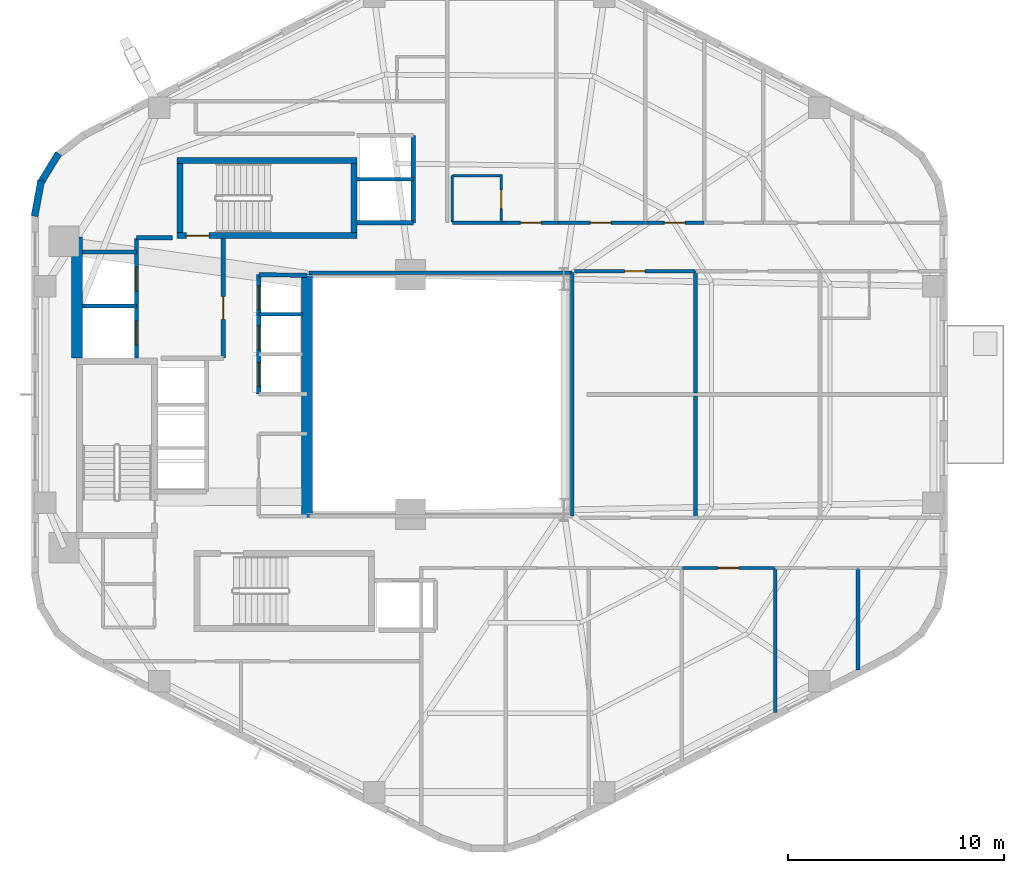
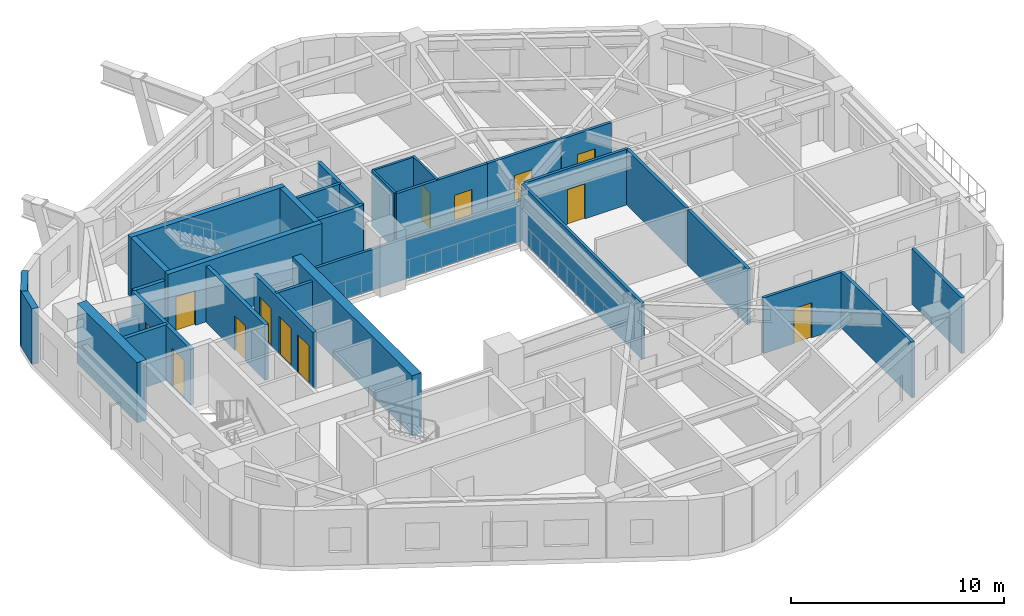
# One storey, part 4 of 8: 33 walls, 13 doors, 13 openings.
"""IFC4 building model written with IfcOpenShell, lengths in metres."""

from ifc_helpers import new_model, si_unit, direction, frame, frame_2d, origin, place, context, subcontext, project, spatial, rectangle, extrude, material, layer, layer_set, type_object, element, fill, save


model = new_model("IFC4")

# Units and contexts
model_context = context("Model", 3, precision=1e-05, world=origin(), true_north=direction((0.0, 1.0)))
body_context = subcontext(model_context, "Body", "Model", "MODEL_VIEW")
ifc_project = project(units=[si_unit("LENGTHUNIT", "METRE"), si_unit("AREAUNIT", "SQUARE_METRE"), si_unit("VOLUMEUNIT", "CUBIC_METRE"), si_unit("PLANEANGLEUNIT", "RADIAN"), si_unit("MASSUNIT", "GRAM", prefix="KILO"), si_unit("THERMODYNAMICTEMPERATUREUNIT", "KELVIN"), si_unit("POWERUNIT", "WATT")], contexts=[model_context])

# Site, building, storey
site_placement = place(None, origin())
site = spatial("IfcSite", under=ifc_project, at=site_placement, CompositionType="ELEMENT")
building_placement = place(site_placement, origin())
building = spatial("IfcBuilding", under=site, at=building_placement, Name="Skarre Station Tower", CompositionType="ELEMENT")
storey_placement = place(building_placement, frame((0.0, 0.0, 125.699951171875)))
storey = spatial("IfcBuildingStorey", under=building, at=storey_placement, Name="L33", CompositionType="ELEMENT", Elevation=125.699951171875)

# Walls
ifc_material_1 = material(Name="Acoustic Steel-Stud Gypsum Partition", Category="steel")
ifc_layer_1 = layer(ifc_material_1, 0.14990234375, Name="Acoustic Steel-Stud Gypsum Partition")
ifc_layer_set_1 = layer_set([ifc_layer_1], Name="Acoustic Steel-Stud Gypsum Partition")
wall_type_1 = type_object("IfcWallType", Name="Fire-Rated Corridor Acoustic Partition 150", PredefinedType="PARTITIONING", material=ifc_layer_set_1)
wall_1_placement = place(storey_placement, frame((39.840087890625, 29.639892578125, 0.0), z_axis=(0.0, 0.0, 1.0), x_axis=(-1.0, 0.0, 0.0)))
element("IfcWall", 1, at=wall_1_placement, inside=storey, type_object=wall_type_1, Name="L33 Interior Partition WL-PT-L33-ATRW-N", PredefinedType="PARTITIONING", context=body_context, shape_type="SweptSolid", body=[
    extrude(rectangle(XDim=12.2001953125, YDim=0.14990234375, at=frame_2d((6.10009765625, 0.0))), origin(), (0.0, 0.0, 1.0), 2.3310546875),
])
wall_2_placement = place(storey_placement, frame((39.840087890625, 18.360107421875, 0.0), z_axis=(0.0, 0.0, 1.0), x_axis=(0.0, 1.0, 0.0)))
element("IfcWall", 2, at=wall_2_placement, inside=storey, type_object=wall_type_1, Name="L33 Interior Partition WL-PT-L33-ATRW-E", PredefinedType="PARTITIONING", context=body_context, shape_type="SweptSolid", body=[
    extrude(rectangle(XDim=11.27978515625, YDim=0.14990234375, at=frame_2d((5.639892578125, 0.0))), origin(), (0.0, 0.0, 1.0), 3.18994140625),
])

# Wall, opening, door
wall_3_placement = place(storey_placement, frame((39.22412109375, 31.9599609375, 0.0), z_axis=(0.0, 0.0, 1.0), x_axis=(-1.0, 0.0, 0.0)))
wall_3 = element("IfcWall", 3, at=wall_3_placement, inside=storey, type_object=wall_type_1, Name="L33 Interior Partition WL-PT-L33-NW1-CW", PredefinedType="PARTITIONING", context=body_context, shape_type="SweptSolid", body=[
    extrude(rectangle(XDim=4.93408203125, YDim=0.14990234375, at=frame_2d((2.467041015625, 0.0))), origin(), (0.0, 0.0, 1.0), 3.18994140625),
])
opening_1_placement = place(wall_3_placement, frame((0.830078125, 0.0, 0.0)))
opening_1 = element("IfcOpeningElement", 4, at=opening_1_placement, cuts=wall_3, Name="Opening DR-FD60", PredefinedType="OPENING", context=body_context, shape_type="SweptSolid", body=[
    extrude(rectangle(XDim=0.9599609375, YDim=2.0, at=frame_2d((0.47998046875, 1.0))), frame((0.0, 0.0849609375, 0.0), z_axis=(0.0, -1.0, 0.0), x_axis=(1.0, 0.0, 0.0)), (0.0, 0.0, 1.0), 0.169921875),
])
ifc_material_2 = material(Name="Nordic White-Oak Veneer Solid-Core Fire Leaf", Category="wood")
door_type_1 = type_object("IfcDoorType", Name="Corridor Suite Entry Fire Door FD60 960x2150", OperationType="SINGLE_SWING_LEFT", PredefinedType="DOOR", material=ifc_material_2)
door_1_placement = place(opening_1_placement, origin())
door_1 = element("IfcDoor", 5, at=door_1_placement, inside=storey, type_object=door_type_1, Name="L33 NW1 Entry Door", OperationType="SINGLE_SWING_LEFT", OverallHeight=2.0, OverallWidth=0.9599609375, PredefinedType="DOOR", context=body_context, shape_type="SweptSolid", body=[
    extrude(rectangle(XDim=0.9599609375, YDim=2.0, at=frame_2d((0.47998046875, 1.0))), frame((0.0, 0.02490234375, 0.0), z_axis=(0.0, -1.0, 0.0), x_axis=(1.0, 0.0, 0.0)), (0.0, 0.0, 1.0), 0.050048828125),
])
fill(opening_1, door_1)

wall_4_placement = place(storey_placement, frame((43.198974609375, 31.9599609375, 0.0), z_axis=(0.0, 0.0, 1.0), x_axis=(-1.0, 0.0, 0.0)))
wall_4 = element("IfcWall", 6, at=wall_4_placement, inside=storey, type_object=wall_type_1, Name="L33 Interior Partition WL-PT-L33-NW2-CW", PredefinedType="PARTITIONING", context=body_context, shape_type="SweptSolid", body=[
    extrude(rectangle(XDim=3.965087890625, YDim=0.14990234375, at=frame_2d((1.982421875, 0.0))), origin(), (0.0, 0.0, 1.0), 3.18994140625),
])
opening_2_placement = place(wall_4_placement, frame((1.56005859375, 0.0, 0.0)))
opening_2 = element("IfcOpeningElement", 7, at=opening_2_placement, cuts=wall_4, Name="Opening DR-FD60", PredefinedType="OPENING", context=body_context, shape_type="SweptSolid", body=[
    extrude(rectangle(XDim=0.9599609375, YDim=2.0, at=frame_2d((0.47998046875, 1.0))), frame((0.0, 0.0849609375, 0.0), z_axis=(0.0, -1.0, 0.0), x_axis=(1.0, 0.0, 0.0)), (0.0, 0.0, 1.0), 0.169921875),
])
door_2_placement = place(opening_2_placement, origin())
door_2 = element("IfcDoor", 8, at=door_2_placement, inside=storey, type_object=door_type_1, Name="L33 NW2 Entry Door", OperationType="SINGLE_SWING_LEFT", OverallHeight=2.0, OverallWidth=0.9599609375, PredefinedType="DOOR", context=body_context, shape_type="SweptSolid", body=[
    extrude(rectangle(XDim=0.9599609375, YDim=2.0, at=frame_2d((0.47998046875, 1.0))), frame((0.0, 0.02490234375, 0.0), z_axis=(0.0, -1.0, 0.0), x_axis=(1.0, 0.0, 0.0)), (0.0, 0.0, 1.0), 0.050048828125),
])
fill(opening_2, door_2)

wall_5_placement = place(storey_placement, frame((45.93994140625, 31.9599609375, 0.0), z_axis=(0.0, 0.0, 1.0), x_axis=(-1.0, 0.0, 0.0)))
wall_5 = element("IfcWall", 9, at=wall_5_placement, inside=storey, type_object=wall_type_1, Name="L33 Interior Partition WL-PT-L33-NW3-CW", PredefinedType="PARTITIONING", context=body_context, shape_type="SweptSolid", body=[
    extrude(rectangle(XDim=2.708984375, YDim=0.14990234375, at=frame_2d((1.3544921875, 0.0))), origin(), (0.0, 0.0, 1.0), 3.18994140625),
])
opening_3_placement = place(wall_5_placement, frame((0.875, 0.0, 0.0)))
opening_3 = element("IfcOpeningElement", 10, at=opening_3_placement, cuts=wall_5, Name="Opening DR-FD60", PredefinedType="OPENING", context=body_context, shape_type="SweptSolid", body=[
    extrude(rectangle(XDim=0.9599609375, YDim=2.0, at=frame_2d((0.47998046875, 1.0))), frame((0.0, 0.0849609375, 0.0), z_axis=(0.0, -1.0, 0.0), x_axis=(1.0, 0.0, 0.0)), (0.0, 0.0, 1.0), 0.169921875),
])
door_3_placement = place(opening_3_placement, origin())
door_3 = element("IfcDoor", 11, at=door_3_placement, inside=storey, type_object=door_type_1, Name="L33 NW3 Entry Door", OperationType="SINGLE_SWING_LEFT", OverallHeight=2.0, OverallWidth=0.9599609375, PredefinedType="DOOR", context=body_context, shape_type="SweptSolid", body=[
    extrude(rectangle(XDim=0.9599609375, YDim=2.0, at=frame_2d((0.47998046875, 1.0))), frame((0.0, 0.02490234375, 0.0), z_axis=(0.0, -1.0, 0.0), x_axis=(1.0, 0.0, 0.0)), (0.0, 0.0, 1.0), 0.050048828125),
])
fill(opening_3, door_3)

wall_6_placement = place(storey_placement, frame((39.949951171875, 29.7099609375, 0.0), z_axis=(0.0, 0.0, 1.0), x_axis=(1.0, 0.0, 0.0)))
wall_6 = element("IfcWall", 12, at=wall_6_placement, inside=storey, type_object=wall_type_1, Name="L33 Interior Partition WL-PT-L33-EWN1-CW", PredefinedType="PARTITIONING", context=body_context, shape_type="SweptSolid", body=[
    extrude(rectangle(XDim=5.583984375, YDim=0.14990234375, at=frame_2d((2.7919921875, 0.0))), origin(), (0.0, 0.0, 1.0), 3.18994140625),
])
opening_4_placement = place(wall_6_placement, frame((2.31201171875, 0.0, 0.0)))
opening_4 = element("IfcOpeningElement", 13, at=opening_4_placement, cuts=wall_6, Name="Opening DR-FD60", PredefinedType="OPENING", context=body_context, shape_type="SweptSolid", body=[
    extrude(rectangle(XDim=0.9599609375, YDim=2.0, at=frame_2d((0.47998046875, 1.0))), frame((0.0, 0.0849609375, 0.0), z_axis=(0.0, -1.0, 0.0), x_axis=(1.0, 0.0, 0.0)), (0.0, 0.0, 1.0), 0.169921875),
])
door_4_placement = place(opening_4_placement, origin())
door_4 = element("IfcDoor", 14, at=door_4_placement, inside=storey, type_object=door_type_1, Name="L33 EWN1 Entry Door", OperationType="SINGLE_SWING_LEFT", OverallHeight=2.0, OverallWidth=0.9599609375, PredefinedType="DOOR", context=body_context, shape_type="SweptSolid", body=[
    extrude(rectangle(XDim=0.9599609375, YDim=2.0, at=frame_2d((0.47998046875, 1.0))), frame((0.0, 0.02490234375, 0.0), z_axis=(0.0, -1.0, 0.0), x_axis=(1.0, 0.0, 0.0)), (0.0, 0.0, 1.0), 0.050048828125),
])
fill(opening_4, door_4)

wall_7_placement = place(storey_placement, frame((44.93701171875, 15.9599609375, 0.0), z_axis=(0.0, 0.0, 1.0), x_axis=(1.0, 0.0, 0.0)))
wall_7 = element("IfcWall", 15, at=wall_7_placement, inside=storey, type_object=wall_type_1, Name="L33 Interior Partition WL-PT-L33-SW4-CW", PredefinedType="PARTITIONING", context=body_context, shape_type="SweptSolid", body=[
    extrude(rectangle(XDim=4.283935546875, YDim=0.14990234375, at=frame_2d((2.14208984375, 0.0))), origin(), (0.0, 0.0, 1.0), 3.18994140625),
])
opening_5_placement = place(wall_7_placement, frame((1.662109375, 0.0, 0.0)))
opening_5 = element("IfcOpeningElement", 16, at=opening_5_placement, cuts=wall_7, Name="Opening DR-FD60", PredefinedType="OPENING", context=body_context, shape_type="SweptSolid", body=[
    extrude(rectangle(XDim=0.9599609375, YDim=2.0, at=frame_2d((0.47998046875, 1.0))), frame((0.0, 0.0849609375, 0.0), z_axis=(0.0, -1.0, 0.0), x_axis=(1.0, 0.0, 0.0)), (0.0, 0.0, 1.0), 0.169921875),
])
door_5_placement = place(opening_5_placement, origin())
door_5 = element("IfcDoor", 17, at=door_5_placement, inside=storey, type_object=door_type_1, Name="L33 SW4 Entry Door", OperationType="SINGLE_SWING_LEFT", OverallHeight=2.0, OverallWidth=0.9599609375, PredefinedType="DOOR", context=body_context, shape_type="SweptSolid", body=[
    extrude(rectangle(XDim=0.9599609375, YDim=2.0, at=frame_2d((0.47998046875, 1.0))), frame((0.0, 0.02490234375, 0.0), z_axis=(0.0, -1.0, 0.0), x_axis=(1.0, 0.0, 0.0)), (0.0, 0.0, 1.0), 0.050048828125),
])
fill(opening_5, door_5)

ifc_material_3 = material(Name="Insulated Timber-Stud Gypsum Partition", Category="wood")
ifc_layer_2 = layer(ifc_material_3, 0.1201171875, Name="Insulated Timber-Stud Gypsum Partition")
ifc_layer_set_2 = layer_set([ifc_layer_2], Name="Insulated Timber-Stud Gypsum Partition")
wall_type_2 = type_object("IfcWallType", Name="Internal Suite Acoustic Partition 120", PredefinedType="PARTITIONING", material=ifc_layer_set_2)
wall_8_placement = place(storey_placement, frame((36.550048828125, 31.9599609375, 0.0), z_axis=(0.0, 0.0, 1.0), x_axis=(0.0, 1.0, 0.0)))
wall_8 = element("IfcWall", 18, at=wall_8_placement, inside=storey, type_object=wall_type_2, Name="L33 Interior Partition WL-PT-L33-NW1-EW2", PredefinedType="PARTITIONING", context=body_context, shape_type="SweptSolid", body=[
    extrude(rectangle(XDim=2.239990234375, YDim=0.1201171875, at=frame_2d((1.1201171875, 0.0))), origin(), (0.0, 0.0, 1.0), 3.18994140625),
])
opening_6_placement = place(wall_8_placement, frame((0.64990234375, 0.0, 0.0)))
opening_6 = element("IfcOpeningElement", 19, at=opening_6_placement, cuts=wall_8, Name="Opening DR-INT86", PredefinedType="OPENING", context=body_context, shape_type="SweptSolid", body=[
    extrude(rectangle(XDim=0.860107421875, YDim=2.0, at=frame_2d((0.43017578125, 1.0))), frame((0.0, 0.070068359375, 0.0), z_axis=(0.0, -1.0, 0.0), x_axis=(1.0, 0.0, 0.0)), (0.0, 0.0, 1.0), 0.14013671875),
])
ifc_material_4 = material(Name="Nordic Birch Acoustic Solid-Core Timber Leaf", Category="wood")
door_type_2 = type_object("IfcDoorType", Name="Internal En-Suite & Bedroom Door 860x2100", OperationType="SINGLE_SWING_LEFT", PredefinedType="DOOR", material=ifc_material_4)
door_6_placement = place(opening_6_placement, origin())
door_6 = element("IfcDoor", 20, at=door_6_placement, inside=storey, type_object=door_type_2, Name="L33 NW1 En-suite Door", OperationType="SINGLE_SWING_LEFT", OverallHeight=2.0, OverallWidth=0.860107421875, PredefinedType="DOOR", context=body_context, shape_type="SweptSolid", body=[
    extrude(rectangle(XDim=0.860107421875, YDim=2.0, at=frame_2d((0.43017578125, 1.0))), frame((0.0, 0.02490234375, 0.0), z_axis=(0.0, -1.0, 0.0), x_axis=(1.0, 0.0, 0.0)), (0.0, 0.0, 1.0), 0.050048828125),
])
fill(opening_6, door_6)

# Walls
wall_9_placement = place(storey_placement, frame((36.610107421875, 34.139892578125, 0.0), z_axis=(0.0, 0.0, 1.0), x_axis=(-1.0, 0.0, 0.0)))
element("IfcWall", 21, at=wall_9_placement, inside=storey, type_object=wall_type_2, Name="L33 Interior Partition WL-PT-L33-NW1-EW3", PredefinedType="PARTITIONING", context=body_context, shape_type="SweptSolid", body=[
    extrude(rectangle(XDim=2.320068359375, YDim=0.1201171875, at=frame_2d((1.16015625, 0.0))), origin(), (0.0, 0.0, 1.0), 3.18994140625),
])
wall_10_placement = place(storey_placement, frame((34.2900390625, 34.139892578125, 0.0), z_axis=(0.0, 0.0, 1.0), x_axis=(0.0, -1.0, 0.0)))
element("IfcWall", 22, at=wall_10_placement, inside=storey, type_object=wall_type_2, Name="L33 Interior Partition WL-PT-L33-NW1-EW4", PredefinedType="PARTITIONING", context=body_context, shape_type="SweptSolid", body=[
    extrude(rectangle(XDim=2.139892578125, YDim=0.1201171875, at=frame_2d((1.06982421875, 0.0))), origin(), (0.0, 0.0, 1.0), 3.18994140625),
])
ifc_material_5 = material(Name="Precast concrete C45/55", Category="concrete")
ifc_layer_3 = layer(ifc_material_5, 0.330078125, Name="Precast concrete C45/55")
ifc_layer_set_3 = layer_set([ifc_layer_3], Name="Precast concrete C45/55")
wall_type_3 = type_object("IfcWallType", Name="Nordic Rounded Corner Precast Wall 330", PredefinedType="STANDARD", material=ifc_layer_set_3)
wall_11_placement = place(storey_placement, frame((14.931884765625, 32.258056640625, 0.0), z_axis=(0.0, 0.0, 1.0), x_axis=(0.181984991895, 0.983301308209, 0.0)))
element("IfcWall", 23, at=wall_11_placement, inside=storey, type_object=wall_type_3, Name="L33 Rounded Corner Precast Wall F2-1", PredefinedType="STANDARD", context=body_context, shape_type="SweptSolid", body=[
    extrude(rectangle(XDim=1.677001953125, YDim=0.330078125, at=frame_2d((0.83837890625, 0.0))), origin(), (0.0, 0.0, 1.0), 3.18994140625),
])
wall_12_placement = place(storey_placement, frame((15.169921875, 33.73193359375, 0.0), z_axis=(0.0, 0.0, 1.0), x_axis=(0.520519429557, 0.853849824883, 0.0)))
element("IfcWall", 24, at=wall_12_placement, inside=storey, type_object=wall_type_3, Name="L33 Rounded Corner Precast Wall F2-2", PredefinedType="STANDARD", context=body_context, shape_type="SweptSolid", body=[
    extrude(rectangle(XDim=1.67724609375, YDim=0.330078125, at=frame_2d((0.838623046875, 0.0))), origin(), (0.0, 0.0, 1.0), 3.18994140625),
])

# Wall, opening, door
ifc_material_6 = material(Name="Concrete C50/60", Category="concrete")
ifc_layer_4 = layer(ifc_material_6, 0.280029296875, Name="Concrete C50/60")
ifc_layer_set_4 = layer_set([ifc_layer_4], Name="Concrete C50/60")
wall_type_4 = type_object("IfcWallType", Name="RC Core Shear Wall 280", PredefinedType="SHEAR", material=ifc_layer_set_4)
wall_13_placement = place(storey_placement, frame((21.52001953125, 31.360107421875, 0.0), z_axis=(0.0, 0.0, 1.0), x_axis=(1.0, 0.0, 0.0)))
wall_13 = element("IfcWall", 25, at=wall_13_placement, inside=storey, type_object=wall_type_4, Name="L33 Stair ST-3 South Shear Wall", PredefinedType="SHEAR", context=body_context, shape_type="SweptSolid", body=[
    extrude(rectangle(XDim=8.35986328125, YDim=0.280029296875, at=frame_2d((4.179931640625, 0.0))), origin(), (0.0, 0.0, 1.0), 3.449951171875),
])
opening_7_placement = place(wall_13_placement, frame((0.449951171875, 0.0, 0.0)))
opening_7 = element("IfcOpeningElement", 26, at=opening_7_placement, cuts=wall_13, Name="Opening DR-FD90", PredefinedType="OPENING", context=body_context, shape_type="SweptSolid", body=[
    extrude(rectangle(XDim=1.050048828125, YDim=2.0, at=frame_2d((0.52490234375, 1.0))), frame((0.0, 0.14990234375, 0.0), z_axis=(0.0, -1.0, 0.0), x_axis=(1.0, 0.0, 0.0)), (0.0, 0.0, 1.0), 0.300048828125),
])
ifc_material_7 = material(Name="Fire-Rated Insulated Steel Frame & Timber Core Leaf", Category="steel")
door_type_3 = type_object("IfcDoorType", Name="Stair & FSAE Lobby Fire Door FD90 1050x2150", OperationType="SINGLE_SWING_RIGHT", PredefinedType="DOOR", material=ifc_material_7)
door_7_placement = place(opening_7_placement, origin())
door_7 = element("IfcDoor", 27, at=door_7_placement, inside=storey, type_object=door_type_3, Name="L33 Stair ST-3 & FSAE Lobby Direct Exit Door", OperationType="SINGLE_SWING_LEFT", OverallHeight=2.0, OverallWidth=1.050048828125, PredefinedType="DOOR", context=body_context, shape_type="SweptSolid", body=[
    extrude(rectangle(XDim=1.050048828125, YDim=2.0, at=frame_2d((0.52490234375, 1.0))), frame((0.0, 0.02490234375, 0.0), z_axis=(0.0, -1.0, 0.0), x_axis=(1.0, 0.0, 0.0)), (0.0, 0.0, 1.0), 0.050048828125),
])
fill(opening_7, door_7)

# Walls
wall_14_placement = place(storey_placement, frame((29.8798828125, 34.840087890625, 0.0), z_axis=(0.0, 0.0, 1.0), x_axis=(-1.0, 0.0, 0.0)))
element("IfcWall", 28, at=wall_14_placement, inside=storey, type_object=wall_type_4, Name="L33 Stair ST-3 North Shear Wall", PredefinedType="SHEAR", context=body_context, shape_type="SweptSolid", body=[
    extrude(rectangle(XDim=8.35986328125, YDim=0.280029296875, at=frame_2d((4.179931640625, 0.0))), origin(), (0.0, 0.0, 1.0), 3.449951171875),
])
for number, where, z_axis, x_axis, name in (
    (29, (21.659912109375, 34.699951171875, 0.0), (0.0, 0.0, 1.0), (0.0, -1.0, 0.0), "L33 Stair ST-3 West Shear Wall"),
    (30, (29.739990234375, 31.5, 0.0), (0.0, 0.0, 1.0), (0.0, 1.0, 0.0), "L33 Stair ST-3 East Shear Wall"),
):
    element("IfcWall", number, at=place(storey_placement, frame(where, z_axis=z_axis, x_axis=x_axis)), inside=storey, type_object=wall_type_4, Name=name, PredefinedType="SHEAR", context=body_context, shape_type="SweptSolid", body=[
        extrude(rectangle(XDim=3.199951171875, YDim=0.280029296875, at=frame_2d((1.60009765625, 0.0))), origin(), (0.0, 0.0, 1.0), 3.449951171875),
    ])
ifc_material_8 = material(Name="Concrete C70/85", Category="concrete")
ifc_layer_5 = layer(ifc_material_8, 0.5, Name="Concrete C70/85")
ifc_layer_set_5 = layer_set([ifc_layer_5], Name="Concrete C70/85")
wall_type_5 = type_object("IfcWallType", Name="RC Core Shear Wall 500", PredefinedType="SHEAR", material=ifc_layer_set_5)
wall_15_placement = place(storey_placement, frame((16.89990234375, 25.679931640625, 0.0), z_axis=(0.0, 0.0, 1.0), x_axis=(0.0, 1.0, 0.0)))
element("IfcWall", 31, at=wall_15_placement, inside=storey, type_object=wall_type_5, Name="L33 Core West-North Shear Wall", PredefinedType="SHEAR", context=body_context, shape_type="SweptSolid", body=[
    extrude(rectangle(XDim=5.6201171875, YDim=0.5, at=frame_2d((2.81005859375, 0.0))), origin(), (0.0, 0.0, 1.0), 3.449951171875),
])
wall_16_placement = place(storey_placement, frame((27.550048828125, 29.550048828125, 0.0), z_axis=(0.0, 0.0, 1.0), x_axis=(0.0, -1.0, 0.0)))
element("IfcWall", 32, at=wall_16_placement, inside=storey, type_object=wall_type_5, Name="L33 Core East Atrium Shear Wall", PredefinedType="SHEAR", context=body_context, shape_type="SweptSolid", body=[
    extrude(rectangle(XDim=11.25, YDim=0.5, at=frame_2d((5.625, 0.0))), origin(), (0.0, 0.0, 1.0), 3.449951171875),
])

# Wall, openings, doors
ifc_material_9 = material(Name="Gypsum Concrete Shaft Assembly C30/37", Category="concrete")
ifc_layer_6 = layer(ifc_material_9, 0.199951171875, Name="Gypsum Concrete Shaft Assembly C30/37")
ifc_layer_set_6 = layer_set([ifc_layer_6], Name="Gypsum Concrete Shaft Assembly C30/37")
wall_type_6 = type_object("IfcWallType", Name="Shaft & Core Fire Partition 200", PredefinedType="PARTITIONING", material=ifc_layer_set_6)
wall_17_placement = place(storey_placement, frame((19.64990234375, 25.679931640625, 0.0), z_axis=(0.0, 0.0, 1.0), x_axis=(0.0, 1.0, 0.0)))
wall_17 = element("IfcWall", 33, at=wall_17_placement, inside=storey, type_object=wall_type_6, Name="L33 Interior Partition WL-PT-L33-FSAE-W", PredefinedType="PARTITIONING", context=body_context, shape_type="SweptSolid", body=[
    extrude(rectangle(XDim=5.5400390625, YDim=0.199951171875, at=frame_2d((2.77001953125, 0.0))), origin(), (0.0, 0.0, 1.0), 3.18994140625),
])
opening_8_placement = place(wall_17_placement, frame((0.6201171875, 0.0, 0.0)))
opening_8 = element("IfcOpeningElement", 34, at=opening_8_placement, cuts=wall_17, Name="Opening LD-FF1", PredefinedType="OPENING", context=body_context, shape_type="SweptSolid", body=[
    extrude(rectangle(XDim=1.10009765625, YDim=2.199951171875, at=frame_2d((0.550048828125, 1.10009765625))), frame((0.0, 0.10986328125, 0.0), z_axis=(0.0, -1.0, 0.0), x_axis=(1.0, 0.0, 0.0)), (0.0, 0.0, 1.0), 0.219970703125),
])
opening_9_placement = place(wall_17_placement, frame((3.1201171875, 0.0, 0.0)))
opening_9 = element("IfcOpeningElement", 35, at=opening_9_placement, cuts=wall_17, Name="Opening LD-FF2", PredefinedType="OPENING", context=body_context, shape_type="SweptSolid", body=[
    extrude(rectangle(XDim=1.10009765625, YDim=2.199951171875, at=frame_2d((0.550048828125, 1.10009765625))), frame((0.0, 0.10986328125, 0.0), z_axis=(0.0, -1.0, 0.0), x_axis=(1.0, 0.0, 0.0)), (0.0, 0.0, 1.0), 0.219970703125),
])
ifc_material_10 = material(Name="Fire-Rated Stainless Steel Grade 316L Sliding Leaves", Category="steel")
door_type_4 = type_object("IfcDoorType", Name="Fire Service Access Elevator Sliding Landing Door 1100x2200", OperationType="SLIDING_TO_LEFT", PredefinedType="DOOR", material=ifc_material_10)
door_8_placement = place(opening_8_placement, origin())
door_8 = element("IfcDoor", 36, at=door_8_placement, inside=storey, type_object=door_type_4, Name="L33 Firefighting Lift LF-FF1 Landing Door", OperationType="SLIDING_TO_LEFT", OverallHeight=2.199951171875, OverallWidth=1.10009765625, PredefinedType="DOOR", context=body_context, shape_type="SweptSolid", body=[
    extrude(rectangle(XDim=1.10009765625, YDim=2.199951171875, at=frame_2d((0.550048828125, 1.10009765625))), frame((0.0, 0.02490234375, 0.0), z_axis=(0.0, -1.0, 0.0), x_axis=(1.0, 0.0, 0.0)), (0.0, 0.0, 1.0), 0.050048828125),
])
fill(opening_8, door_8)
door_9_placement = place(opening_9_placement, origin())
door_9 = element("IfcDoor", 37, at=door_9_placement, inside=storey, type_object=door_type_4, Name="L33 Firefighting Lift LF-FF2 Landing Door", OperationType="SLIDING_TO_LEFT", OverallHeight=2.199951171875, OverallWidth=1.10009765625, PredefinedType="DOOR", context=body_context, shape_type="SweptSolid", body=[
    extrude(rectangle(XDim=1.10009765625, YDim=2.199951171875, at=frame_2d((0.550048828125, 1.10009765625))), frame((0.0, 0.02490234375, 0.0), z_axis=(0.0, -1.0, 0.0), x_axis=(1.0, 0.0, 0.0)), (0.0, 0.0, 1.0), 0.050048828125),
])
fill(opening_9, door_9)

# Wall, opening, door
wall_18_placement = place(storey_placement, frame((23.679931640625, 25.679931640625, 0.0), z_axis=(0.0, 0.0, 1.0), x_axis=(0.0, 1.0, 0.0)))
wall_18 = element("IfcWall", 38, at=wall_18_placement, inside=storey, type_object=wall_type_6, Name="L33 Interior Partition WL-PT-L33-FSAE-E", PredefinedType="PARTITIONING", context=body_context, shape_type="SweptSolid", body=[
    extrude(rectangle(XDim=5.5400390625, YDim=0.199951171875, at=frame_2d((2.77001953125, 0.0))), origin(), (0.0, 0.0, 1.0), 3.18994140625),
])
opening_10_placement = place(wall_18_placement, frame((1.800048828125, 0.0, 0.0)))
opening_10 = element("IfcOpeningElement", 39, at=opening_10_placement, cuts=wall_18, Name="Opening DR-FD90", PredefinedType="OPENING", context=body_context, shape_type="SweptSolid", body=[
    extrude(rectangle(XDim=1.050048828125, YDim=2.0, at=frame_2d((0.52490234375, 1.0))), frame((0.0, 0.10986328125, 0.0), z_axis=(0.0, -1.0, 0.0), x_axis=(1.0, 0.0, 0.0)), (0.0, 0.0, 1.0), 0.219970703125),
])
door_10_placement = place(opening_10_placement, origin())
door_10 = element("IfcDoor", 40, at=door_10_placement, inside=storey, type_object=door_type_3, Name="L33 FSAE Lobby Fire Door", OperationType="SINGLE_SWING_RIGHT", OverallHeight=2.0, OverallWidth=1.050048828125, PredefinedType="DOOR", context=body_context, shape_type="SweptSolid", body=[
    extrude(rectangle(XDim=1.050048828125, YDim=2.0, at=frame_2d((0.52490234375, 1.0))), frame((0.0, 0.02490234375, 0.0), z_axis=(0.0, -1.0, 0.0), x_axis=(1.0, 0.0, 0.0)), (0.0, 0.0, 1.0), 0.050048828125),
])
fill(opening_10, door_10)

# Walls
wall_19_placement = place(storey_placement, frame((21.330078125, 31.260009765625, 0.0), z_axis=(0.0, 0.0, 1.0), x_axis=(-1.0, 0.0, 0.0)))
element("IfcWall", 41, at=wall_19_placement, inside=storey, type_object=wall_type_6, Name="L33 Interior Partition WL-PT-L33-FSAE-N", PredefinedType="PARTITIONING", context=body_context, shape_type="SweptSolid", body=[
    extrude(rectangle(XDim=1.68017578125, YDim=0.199951171875, at=frame_2d((0.840087890625, 0.0))), origin(), (0.0, 0.0, 1.0), 3.18994140625),
])
wall_20_placement = place(storey_placement, frame((17.14990234375, 28.10009765625, 0.0), z_axis=(0.0, 0.0, 1.0), x_axis=(1.0, 0.0, 0.0)))
element("IfcWall", 42, at=wall_20_placement, inside=storey, type_object=wall_type_6, Name="L33 Interior Partition WL-PT-L33-FF-DIV", PredefinedType="PARTITIONING", context=body_context, shape_type="SweptSolid", body=[
    extrude(rectangle(XDim=2.5, YDim=0.199951171875, at=frame_2d((1.25, 0.0))), origin(), (0.0, 0.0, 1.0), 3.18994140625),
])
wall_21_placement = place(storey_placement, frame((19.64990234375, 30.60009765625, 0.0), z_axis=(0.0, 0.0, 1.0), x_axis=(-1.0, 0.0, 0.0)))
element("IfcWall", 43, at=wall_21_placement, inside=storey, type_object=wall_type_6, Name="L33 Interior Partition WL-PT-L33-FF-N", PredefinedType="PARTITIONING", context=body_context, shape_type="SweptSolid", body=[
    extrude(rectangle(XDim=2.5, YDim=0.199951171875, at=frame_2d((1.25, 0.0))), origin(), (0.0, 0.0, 1.0), 2.090087890625),
])
wall_22_placement = place(storey_placement, frame((32.47998046875, 31.949951171875, 0.0), z_axis=(0.0, 0.0, 1.0), x_axis=(0.0, 1.0, 0.0)))
element("IfcWall", 44, at=wall_22_placement, inside=storey, type_object=wall_type_6, Name="L33 Interior Partition WL-PT-L33-EX-E", PredefinedType="PARTITIONING", context=body_context, shape_type="SweptSolid", body=[
    extrude(rectangle(XDim=4.050048828125, YDim=0.199951171875, at=frame_2d((2.02490234375, 0.0))), origin(), (0.0, 0.0, 1.0), 3.18994140625),
])
wall_23_placement = place(storey_placement, frame((32.47998046875, 31.949951171875, 0.0), z_axis=(0.0, 0.0, 1.0), x_axis=(-1.0, 0.0, 0.0)))
element("IfcWall", 45, at=wall_23_placement, inside=storey, type_object=wall_type_6, Name="L33 Interior Partition WL-PT-L33-EX-S", PredefinedType="PARTITIONING", context=body_context, shape_type="SweptSolid", body=[
    extrude(rectangle(XDim=2.60009765625, YDim=0.199951171875, at=frame_2d((1.300048828125, 0.0))), origin(), (0.0, 0.0, 1.0), 3.18994140625),
])
wall_24_placement = place(storey_placement, frame((29.875, 33.97998046875, 0.0), z_axis=(0.0, 0.0, 1.0), x_axis=(1.0, 0.0, 0.0)))
element("IfcWall", 46, at=wall_24_placement, inside=storey, type_object=wall_type_6, Name="L33 Interior Partition WL-PT-L33-EX-DIV", PredefinedType="PARTITIONING", context=body_context, shape_type="SweptSolid", body=[
    extrude(rectangle(XDim=2.60498046875, YDim=0.159912109375, at=frame_2d((1.302490234375, 0.0))), origin(), (0.0, 0.0, 1.0), 3.18994140625),
])

# Wall, openings, doors
wall_25_placement = place(storey_placement, frame((25.320068359375, 29.550048828125, 0.0), z_axis=(0.0, 0.0, 1.0), x_axis=(0.0, -1.0, 0.0)))
wall_25 = element("IfcWall", 47, at=wall_25_placement, inside=storey, type_object=wall_type_6, Name="L33 Interior Partition WL-PT-L33-B2-W", PredefinedType="PARTITIONING", context=body_context, shape_type="SweptSolid", body=[
    extrude(rectangle(XDim=5.530029296875, YDim=0.199951171875, at=frame_2d((2.76513671875, 0.0))), origin(), (0.0, 0.0, 1.0), 3.18994140625),
])
opening_11_placement = place(wall_25_placement, frame((0.52001953125, 0.0, 0.0)))
opening_11 = element("IfcOpeningElement", 48, at=opening_11_placement, cuts=wall_25, Name="Opening LD-P6", PredefinedType="OPENING", context=body_context, shape_type="SweptSolid", body=[
    extrude(rectangle(XDim=1.10009765625, YDim=2.199951171875, at=frame_2d((0.550048828125, 1.10009765625))), frame((0.0, 0.10986328125, 0.0), z_axis=(0.0, -1.0, 0.0), x_axis=(1.0, 0.0, 0.0)), (0.0, 0.0, 1.0), 0.219970703125),
])
opening_12_placement = place(wall_25_placement, frame((2.3701171875, 0.0, 0.0)))
opening_12 = element("IfcOpeningElement", 49, at=opening_12_placement, cuts=wall_25, Name="Opening LD-P5", PredefinedType="OPENING", context=body_context, shape_type="SweptSolid", body=[
    extrude(rectangle(XDim=1.10009765625, YDim=2.199951171875, at=frame_2d((0.550048828125, 1.10009765625))), frame((0.0, 0.10986328125, 0.0), z_axis=(0.0, -1.0, 0.0), x_axis=(1.0, 0.0, 0.0)), (0.0, 0.0, 1.0), 0.219970703125),
])
opening_13_placement = place(wall_25_placement, frame((4.070068359375, 0.0, 0.0)))
opening_13 = element("IfcOpeningElement", 50, at=opening_13_placement, cuts=wall_25, Name="Opening LD-P4", PredefinedType="OPENING", context=body_context, shape_type="SweptSolid", body=[
    extrude(rectangle(XDim=1.10009765625, YDim=2.199951171875, at=frame_2d((0.550048828125, 1.10009765625))), frame((0.0, 0.10986328125, 0.0), z_axis=(0.0, -1.0, 0.0), x_axis=(1.0, 0.0, 0.0)), (0.0, 0.0, 1.0), 0.219970703125),
])
ifc_material_11 = material(Name="Brushed Bronze Stainless Steel Sliding Leaves", Category="steel")
door_type_5 = type_object("IfcDoorType", Name="Passenger Elevator Center-Parting Sliding Door 1100x2200", OperationType="SLIDING_TO_LEFT", PredefinedType="DOOR", material=ifc_material_11)
door_11_placement = place(opening_11_placement, origin())
door_11 = element("IfcDoor", 51, at=door_11_placement, inside=storey, type_object=door_type_5, Name="L33 Passenger Lift LF-P6 Landing Door", OperationType="SLIDING_TO_LEFT", OverallHeight=2.199951171875, OverallWidth=1.10009765625, PredefinedType="DOOR", context=body_context, shape_type="SweptSolid", body=[
    extrude(rectangle(XDim=1.10009765625, YDim=2.199951171875, at=frame_2d((0.550048828125, 1.10009765625))), frame((0.0, 0.02490234375, 0.0), z_axis=(0.0, -1.0, 0.0), x_axis=(1.0, 0.0, 0.0)), (0.0, 0.0, 1.0), 0.050048828125),
])
fill(opening_11, door_11)
door_12_placement = place(opening_12_placement, origin())
door_12 = element("IfcDoor", 52, at=door_12_placement, inside=storey, type_object=door_type_5, Name="L33 Passenger Lift LF-P5 Landing Door", OperationType="SLIDING_TO_LEFT", OverallHeight=2.199951171875, OverallWidth=1.10009765625, PredefinedType="DOOR", context=body_context, shape_type="SweptSolid", body=[
    extrude(rectangle(XDim=1.10009765625, YDim=2.199951171875, at=frame_2d((0.550048828125, 1.10009765625))), frame((0.0, 0.02490234375, 0.0), z_axis=(0.0, -1.0, 0.0), x_axis=(1.0, 0.0, 0.0)), (0.0, 0.0, 1.0), 0.050048828125),
])
fill(opening_12, door_12)
door_13_placement = place(opening_13_placement, origin())
door_13 = element("IfcDoor", 53, at=door_13_placement, inside=storey, type_object=door_type_5, Name="L33 Passenger Lift LF-P4 Landing Door", OperationType="SLIDING_TO_LEFT", OverallHeight=2.199951171875, OverallWidth=1.10009765625, PredefinedType="DOOR", context=body_context, shape_type="SweptSolid", body=[
    extrude(rectangle(XDim=1.10009765625, YDim=2.199951171875, at=frame_2d((0.550048828125, 1.10009765625))), frame((0.0, 0.02490234375, 0.0), z_axis=(0.0, -1.0, 0.0), x_axis=(1.0, 0.0, 0.0)), (0.0, 0.0, 1.0), 0.050048828125),
])
fill(opening_13, door_13)

# Walls
wall_26_placement = place(storey_placement, frame((27.550048828125, 29.52001953125, 0.0), z_axis=(0.0, 0.0, 1.0), x_axis=(-0.999909343457, 0.013464949556, 0.0)))
element("IfcWall", 54, at=wall_26_placement, inside=storey, type_object=wall_type_6, Name="L33 Interior Partition WL-PT-L33-B2-N", PredefinedType="PARTITIONING", context=body_context, shape_type="SweptSolid", body=[
    extrude(rectangle(XDim=2.230224609375, YDim=0.199951171875, at=frame_2d((1.115234375, 0.0))), origin(), (0.0, 0.0, 1.0), 2.090087890625),
])
wall_27_placement = place(storey_placement, frame((25.320068359375, 27.719970703125, 0.0), z_axis=(0.0, 0.0, 1.0), x_axis=(1.0, 0.0, 0.0)))
element("IfcWall", 55, at=wall_27_placement, inside=storey, type_object=wall_type_6, Name="L33 Interior Partition WL-PT-L33-B2-D277", PredefinedType="PARTITIONING", context=body_context, shape_type="SweptSolid", body=[
    extrude(rectangle(XDim=2.030029296875, YDim=0.159912109375, at=frame_2d((1.01513671875, 0.0))), origin(), (0.0, 0.0, 1.0), 3.18994140625),
])
ifc_layer_7 = layer(ifc_material_1, 0.1650390625, Name="Acoustic Steel-Stud Gypsum Partition")
ifc_layer_set_7 = layer_set([ifc_layer_7], Name="Acoustic Steel-Stud Gypsum Partition")
wall_type_7 = type_object("IfcWallType", Name="Suite Demising Acoustic Partition 165", PredefinedType="PARTITIONING", material=ifc_layer_set_7)
for number, where, z_axis, x_axis, name in (
    (56, (45.549072265625, 24.070068359375, 0.0), (0.0, 0.0, 1.0), (0.0, 1.0, 0.0), "L33 Interior Partition WL-PT-L33-EWN-P1"),
    (57, (45.549072265625, 18.2900390625, 0.0), (0.0, 0.0, 1.0), (0.0, 1.0, 0.0), "L33 Interior Partition WL-PT-L33-EWS-P1"),
):
    element("IfcWall", number, at=place(storey_placement, frame(where, z_axis=z_axis, x_axis=x_axis)), inside=storey, type_object=wall_type_7, Name=name, PredefinedType="PARTITIONING", context=body_context, shape_type="SweptSolid", body=[
        extrude(rectangle(XDim=5.639892578125, YDim=0.1650390625, at=frame_2d((2.81982421875, 0.0))), origin(), (0.0, 0.0, 1.0), 3.18994140625),
    ])
wall_28_placement = place(storey_placement, frame((49.239013671875, 9.259033203125, 0.0), z_axis=(0.0, 0.0, 1.0), x_axis=(0.0, 1.0, 0.0)))
element("IfcWall", 58, at=wall_28_placement, inside=storey, type_object=wall_type_7, Name="L33 Interior Partition WL-PT-L33-SW-P4", PredefinedType="PARTITIONING", context=body_context, shape_type="SweptSolid", body=[
    extrude(rectangle(XDim=6.6708984375, YDim=0.1650390625, at=frame_2d((3.33544921875, 0.0))), origin(), (0.0, 0.0, 1.0), 3.18994140625),
])
wall_29_placement = place(storey_placement, frame((53.077880859375, 11.239990234375, 0.0), z_axis=(0.0, 0.0, 1.0), x_axis=(0.0, 1.0, 0.0)))
element("IfcWall", 59, at=wall_29_placement, inside=storey, type_object=wall_type_7, Name="L33 Interior Partition WL-PT-L33-SW-P5", PredefinedType="PARTITIONING", context=body_context, shape_type="SweptSolid", body=[
    extrude(rectangle(XDim=4.68994140625, YDim=0.1650390625, at=frame_2d((2.344970703125, 0.0))), origin(), (0.0, 0.0, 1.0), 3.18994140625),
])

save(model, "model.ifc")
